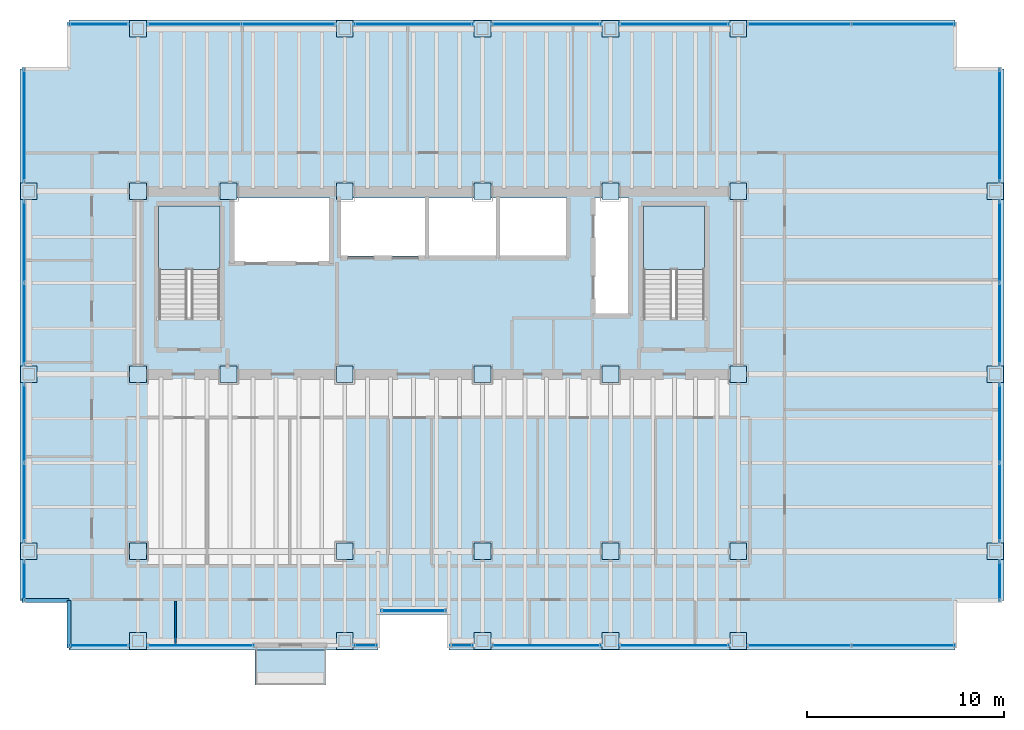
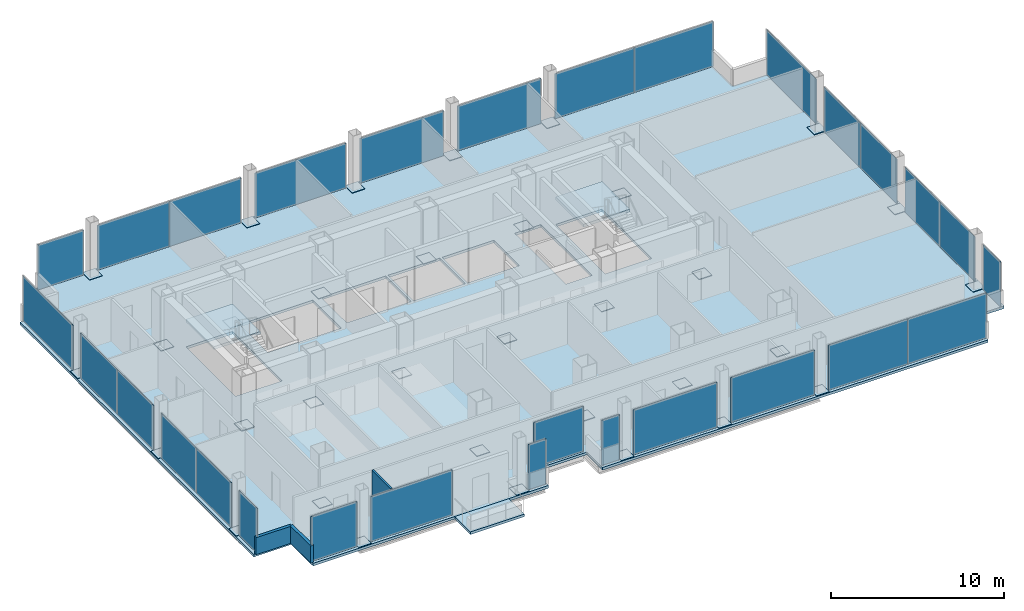
# One storey, part 16 of 20: 62 plates, 4 slabs, 3 walls, 7 openings, 24 elements without a shape of their own.
"""IFC4 building model written with IfcOpenShell, lengths in metres."""

from ifc_helpers import new_model, si_unit, direction, frame, frame_2d, origin, origin_2d, place, context, subcontext, project, spatial, polyline, rectangle, outline, extrude, material, layer, layer_set, type_object, element, aggregate, save


model = new_model("IFC4")

# Units and contexts
model_context = context("Model", 3, precision=1e-05, world=origin(), true_north=direction((0.0, 1.0)))
body_context = subcontext(model_context, "Body", "Model", "MODEL_VIEW")
ifc_project = project(units=[si_unit("LENGTHUNIT", "METRE"), si_unit("AREAUNIT", "SQUARE_METRE"), si_unit("VOLUMEUNIT", "CUBIC_METRE"), si_unit("PLANEANGLEUNIT", "RADIAN"), si_unit("MASSUNIT", "GRAM", prefix="KILO")], contexts=[model_context])

# Site, building, storey
site_placement = place(None, origin())
site = spatial("IfcSite", under=ifc_project, at=site_placement, CompositionType="ELEMENT")
building_placement = place(site_placement, origin())
building = spatial("IfcBuilding", under=site, at=building_placement, Name="Noeulbin Bourse Tower", CompositionType="ELEMENT")
storey_placement = place(building_placement, frame((0.0, 0.0, 61.60009765625)))
storey = spatial("IfcBuildingStorey", under=building, at=storey_placement, Name="L15", CompositionType="ELEMENT", Elevation=61.60009765625)

# Curtain wall, plate
ifc_material_1 = material(Name="Dark Solar-Control Double Glazing", Category="glass")
curtain_wall_type = type_object("IfcCurtainWallType", Name="CW-SYS-2", PredefinedType="NOTDEFINED", material=ifc_material_1)
curtain_wall_1_placement = place(storey_placement, origin())
curtain_wall_1 = element("IfcCurtainWall", 1, at=curtain_wall_1_placement, inside=storey, type_object=curtain_wall_type, Name="Unitised Curtain Wall CW-L15-SREC", PredefinedType="NOTDEFINED")
ifc_layer_1 = layer(ifc_material_1, 0.035888671875)
ifc_layer_set_1 = layer_set([ifc_layer_1], Name="Dark Solar-Control Double Glazing")
plate_type_1 = type_object("IfcPlateType", Name="CW-SYS-2-PNL", PredefinedType="CURTAIN_PANEL", material=ifc_layer_set_1)
plate_1_placement = place(storey_placement, frame((27.5, 16.97998046875, 0.0), z_axis=(0.0, 0.0, 1.0), x_axis=(1.0, 0.0, 0.0)))
plate_1 = element("IfcPlate", 2, at=plate_1_placement, type_object=plate_type_1, Name="Glazed Curtain Panel CW-L15-SREC-P00", PredefinedType="CURTAIN_PANEL", context=body_context, shape_type="SweptSolid", body=[
    extrude(rectangle(XDim=3.300048828125, YDim=0.035888671875, at=origin_2d()), origin(), (0.0, 0.0, 1.0), 3.179931640625),
])
aggregate(curtain_wall_1, [plate_1])

curtain_wall_2_placement = place(storey_placement, origin())
curtain_wall_2 = element("IfcCurtainWall", 3, at=curtain_wall_2_placement, inside=storey, type_object=curtain_wall_type, Name="Unitised Curtain Wall CW-L15-S1-S1", PredefinedType="NOTDEFINED")
plate_2_placement = place(storey_placement, frame((11.510009765625, 15.219970703125, 0.0), z_axis=(0.0, 0.0, 1.0), x_axis=(1.0, 0.0, 0.0)))
plate_2 = element("IfcPlate", 4, at=plate_2_placement, type_object=plate_type_1, Name="Glazed Curtain Panel CW-L15-S1-S1-P00", PredefinedType="CURTAIN_PANEL", context=body_context, shape_type="SweptSolid", body=[
    extrude(rectangle(XDim=3.06005859375, YDim=0.035888671875, at=origin_2d()), origin(), (0.0, 0.0, 1.0), 3.179931640625),
])
aggregate(curtain_wall_2, [plate_2])

curtain_wall_3_placement = place(storey_placement, origin())
curtain_wall_3 = element("IfcCurtainWall", 5, at=curtain_wall_3_placement, inside=storey, type_object=curtain_wall_type, Name="Unitised Curtain Wall CW-L15-S1-S2", PredefinedType="NOTDEFINED")
plate_3_placement = place(storey_placement, frame((16.679931640625, 15.219970703125, 0.0), z_axis=(0.0, 0.0, 1.0), x_axis=(1.0, 0.0, 0.0)))
plate_3 = element("IfcPlate", 6, at=plate_3_placement, type_object=plate_type_1, Name="Glazed Curtain Panel CW-L15-S1-S2-P00", PredefinedType="CURTAIN_PANEL", context=body_context, shape_type="SweptSolid", body=[
    extrude(rectangle(XDim=5.43994140625, YDim=0.035888671875, at=origin_2d()), origin(), (0.0, 0.0, 1.0), 3.179931640625),
])
aggregate(curtain_wall_3, [plate_3])

curtain_wall_4_placement = place(storey_placement, origin())
curtain_wall_4 = element("IfcCurtainWall", 7, at=curtain_wall_4_placement, inside=storey, type_object=curtain_wall_type, Name="Unitised Curtain Wall CW-L15-S2", PredefinedType="NOTDEFINED")
plate_4_placement = place(storey_placement, frame((25.054931640625, 15.219970703125, 0.0), z_axis=(0.0, 0.0, 1.0), x_axis=(1.0, 0.0, 0.0)))
plate_4 = element("IfcPlate", 8, at=plate_4_placement, type_object=plate_type_1, Name="Glazed Curtain Panel CW-L15-S2-P00", PredefinedType="CURTAIN_PANEL", context=body_context, shape_type="SweptSolid", body=[
    extrude(rectangle(XDim=1.18994140625, YDim=0.035888671875, at=origin_2d()), origin(), (0.0, 0.0, 1.0), 3.179931640625),
])
aggregate(curtain_wall_4, [plate_4])

curtain_wall_5_placement = place(storey_placement, origin())
curtain_wall_5 = element("IfcCurtainWall", 9, at=curtain_wall_5_placement, inside=storey, type_object=curtain_wall_type, Name="Unitised Curtain Wall CW-L15-S3-S1", PredefinedType="NOTDEFINED")
plate_5_placement = place(storey_placement, frame((29.945068359375, 15.219970703125, 0.0), z_axis=(0.0, 0.0, 1.0), x_axis=(1.0, 0.0, 0.0)))
plate_5 = element("IfcPlate", 10, at=plate_5_placement, type_object=plate_type_1, Name="Glazed Curtain Panel CW-L15-S3-S1-P00", PredefinedType="CURTAIN_PANEL", context=body_context, shape_type="SweptSolid", body=[
    extrude(rectangle(XDim=1.18994140625, YDim=0.035888671875, at=origin_2d()), origin(), (0.0, 0.0, 1.0), 3.179931640625),
])
aggregate(curtain_wall_5, [plate_5])

curtain_wall_6_placement = place(storey_placement, origin())
curtain_wall_6 = element("IfcCurtainWall", 11, at=curtain_wall_6_placement, inside=storey, type_object=curtain_wall_type, Name="Unitised Curtain Wall CW-L15-S3-S2", PredefinedType="NOTDEFINED")
plate_6_placement = place(storey_placement, frame((34.25, 15.219970703125, 0.0), z_axis=(0.0, 0.0, 1.0), x_axis=(1.0, 0.0, 0.0)))
plate_6 = element("IfcPlate", 12, at=plate_6_placement, type_object=plate_type_1, Name="Glazed Curtain Panel CW-L15-S3-S2-P00", PredefinedType="CURTAIN_PANEL", context=body_context, shape_type="SweptSolid", body=[
    extrude(rectangle(XDim=5.580078125, YDim=0.035888671875, at=origin_2d()), origin(), (0.0, 0.0, 1.0), 3.179931640625),
])
aggregate(curtain_wall_6, [plate_6])

curtain_wall_7_placement = place(storey_placement, origin())
curtain_wall_7 = element("IfcCurtainWall", 13, at=curtain_wall_7_placement, inside=storey, type_object=curtain_wall_type, Name="Unitised Curtain Wall CW-L15-S3-S3", PredefinedType="NOTDEFINED")
plate_7_placement = place(storey_placement, frame((40.75, 15.219970703125, 0.0), z_axis=(0.0, 0.0, 1.0), x_axis=(1.0, 0.0, 0.0)))
plate_7 = element("IfcPlate", 14, at=plate_7_placement, type_object=plate_type_1, Name="Glazed Curtain Panel CW-L15-S3-S3-P00", PredefinedType="CURTAIN_PANEL", context=body_context, shape_type="SweptSolid", body=[
    extrude(rectangle(XDim=5.580078125, YDim=0.035888671875, at=origin_2d()), origin(), (0.0, 0.0, 1.0), 3.179931640625),
])
aggregate(curtain_wall_7, [plate_7])

# Curtain wall, plates
curtain_wall_8_placement = place(storey_placement, origin())
curtain_wall_8 = element("IfcCurtainWall", 15, at=curtain_wall_8_placement, inside=storey, type_object=curtain_wall_type, Name="Unitised Curtain Wall CW-L15-S3-S4", PredefinedType="NOTDEFINED")
plate_8_placement = place(storey_placement, frame((47.10009765625, 15.219970703125, 0.0), z_axis=(0.0, 0.0, 1.0), x_axis=(1.0, 0.0, 0.0)))
plate_8 = element("IfcPlate", 16, at=plate_8_placement, type_object=plate_type_1, Name="Glazed Curtain Panel CW-L15-S3-S4-P00", PredefinedType="CURTAIN_PANEL", context=body_context, shape_type="SweptSolid", body=[
    extrude(rectangle(XDim=5.280029296875, YDim=0.035888671875, at=origin_2d()), origin(), (0.0, 0.0, 1.0), 3.179931640625),
])
plate_9_placement = place(storey_placement, frame((52.3798828125, 15.219970703125, 0.0), z_axis=(0.0, 0.0, 1.0), x_axis=(1.0, 0.0, 0.0)))
plate_9 = element("IfcPlate", 17, at=plate_9_placement, type_object=plate_type_1, Name="Glazed Curtain Panel CW-L15-S3-S4-P01", PredefinedType="CURTAIN_PANEL", context=body_context, shape_type="SweptSolid", body=[
    extrude(rectangle(XDim=5.280029296875, YDim=0.035888671875, at=origin_2d()), origin(), (0.0, 0.0, 1.0), 3.179931640625),
])
aggregate(curtain_wall_8, [plate_8, plate_9])

# Curtain wall, plate
curtain_wall_9_placement = place(storey_placement, origin())
curtain_wall_9 = element("IfcCurtainWall", 18, at=curtain_wall_9_placement, inside=storey, type_object=curtain_wall_type, Name="Unitised Curtain Wall CW-L15-N-S1", PredefinedType="NOTDEFINED")
plate_10_placement = place(storey_placement, frame((11.510009765625, 46.780029296875, 0.0), z_axis=(0.0, 0.0, 1.0), x_axis=(1.0, 0.0, 0.0)))
plate_10 = element("IfcPlate", 19, at=plate_10_placement, type_object=plate_type_1, Name="Glazed Curtain Panel CW-L15-N-S1-P00", PredefinedType="CURTAIN_PANEL", context=body_context, shape_type="SweptSolid", body=[
    extrude(rectangle(XDim=3.06005859375, YDim=0.035888671875, at=origin_2d()), origin(), (0.0, 0.0, 1.0), 3.179931640625),
])
aggregate(curtain_wall_9, [plate_10])

# Curtain wall, plates
curtain_wall_10_placement = place(storey_placement, origin())
curtain_wall_10 = element("IfcCurtainWall", 20, at=curtain_wall_10_placement, inside=storey, type_object=curtain_wall_type, Name="Unitised Curtain Wall CW-L15-N-S2", PredefinedType="NOTDEFINED")
plate_11_placement = place(storey_placement, frame((16.35498046875, 46.780029296875, 0.0), z_axis=(0.0, 0.0, 1.0), x_axis=(1.0, 0.0, 0.0)))
plate_11 = element("IfcPlate", 21, at=plate_11_placement, type_object=plate_type_1, Name="Glazed Curtain Panel CW-L15-N-S2-P00", PredefinedType="CURTAIN_PANEL", context=body_context, shape_type="SweptSolid", body=[
    extrude(rectangle(XDim=4.7900390625, YDim=0.035888671875, at=origin_2d()), origin(), (0.0, 0.0, 1.0), 3.179931640625),
])
plate_12_placement = place(storey_placement, frame((21.14501953125, 46.780029296875, 0.0), z_axis=(0.0, 0.0, 1.0), x_axis=(1.0, 0.0, 0.0)))
plate_12 = element("IfcPlate", 22, at=plate_12_placement, type_object=plate_type_1, Name="Glazed Curtain Panel CW-L15-N-S2-P01", PredefinedType="CURTAIN_PANEL", context=body_context, shape_type="SweptSolid", body=[
    extrude(rectangle(XDim=4.7900390625, YDim=0.035888671875, at=origin_2d()), origin(), (0.0, 0.0, 1.0), 3.179931640625),
])
aggregate(curtain_wall_10, [plate_11, plate_12])

# Curtain wall, plate
curtain_wall_11_placement = place(storey_placement, origin())
curtain_wall_11 = element("IfcCurtainWall", 23, at=curtain_wall_11_placement, inside=storey, type_object=curtain_wall_type, Name="Unitised Curtain Wall CW-L15-N-S3", PredefinedType="NOTDEFINED")
plate_13_placement = place(storey_placement, frame((27.5, 46.780029296875, 0.0), z_axis=(0.0, 0.0, 1.0), x_axis=(1.0, 0.0, 0.0)))
plate_13 = element("IfcPlate", 24, at=plate_13_placement, type_object=plate_type_1, Name="Glazed Curtain Panel CW-L15-N-S3-P00", PredefinedType="CURTAIN_PANEL", context=body_context, shape_type="SweptSolid", body=[
    extrude(rectangle(XDim=6.080078125, YDim=0.035888671875, at=origin_2d()), origin(), (0.0, 0.0, 1.0), 3.179931640625),
])
aggregate(curtain_wall_11, [plate_13])

curtain_wall_12_placement = place(storey_placement, origin())
curtain_wall_12 = element("IfcCurtainWall", 25, at=curtain_wall_12_placement, inside=storey, type_object=curtain_wall_type, Name="Unitised Curtain Wall CW-L15-N-S4", PredefinedType="NOTDEFINED")
plate_14_placement = place(storey_placement, frame((34.25, 46.780029296875, 0.0), z_axis=(0.0, 0.0, 1.0), x_axis=(1.0, 0.0, 0.0)))
plate_14 = element("IfcPlate", 26, at=plate_14_placement, type_object=plate_type_1, Name="Glazed Curtain Panel CW-L15-N-S4-P00", PredefinedType="CURTAIN_PANEL", context=body_context, shape_type="SweptSolid", body=[
    extrude(rectangle(XDim=5.580078125, YDim=0.035888671875, at=origin_2d()), origin(), (0.0, 0.0, 1.0), 3.179931640625),
])
aggregate(curtain_wall_12, [plate_14])

curtain_wall_13_placement = place(storey_placement, origin())
curtain_wall_13 = element("IfcCurtainWall", 27, at=curtain_wall_13_placement, inside=storey, type_object=curtain_wall_type, Name="Unitised Curtain Wall CW-L15-N-S5", PredefinedType="NOTDEFINED")
plate_15_placement = place(storey_placement, frame((40.75, 46.780029296875, 0.0), z_axis=(0.0, 0.0, 1.0), x_axis=(1.0, 0.0, 0.0)))
plate_15 = element("IfcPlate", 28, at=plate_15_placement, type_object=plate_type_1, Name="Glazed Curtain Panel CW-L15-N-S5-P00", PredefinedType="CURTAIN_PANEL", context=body_context, shape_type="SweptSolid", body=[
    extrude(rectangle(XDim=5.580078125, YDim=0.035888671875, at=origin_2d()), origin(), (0.0, 0.0, 1.0), 3.179931640625),
])
aggregate(curtain_wall_13, [plate_15])

# Curtain wall, plates
curtain_wall_14_placement = place(storey_placement, origin())
curtain_wall_14 = element("IfcCurtainWall", 29, at=curtain_wall_14_placement, inside=storey, type_object=curtain_wall_type, Name="Unitised Curtain Wall CW-L15-N-S6", PredefinedType="NOTDEFINED")
plate_16_placement = place(storey_placement, frame((47.10009765625, 46.780029296875, 0.0), z_axis=(0.0, 0.0, 1.0), x_axis=(1.0, 0.0, 0.0)))
plate_16 = element("IfcPlate", 30, at=plate_16_placement, type_object=plate_type_1, Name="Glazed Curtain Panel CW-L15-N-S6-P00", PredefinedType="CURTAIN_PANEL", context=body_context, shape_type="SweptSolid", body=[
    extrude(rectangle(XDim=5.280029296875, YDim=0.035888671875, at=origin_2d()), origin(), (0.0, 0.0, 1.0), 3.179931640625),
])
plate_17_placement = place(storey_placement, frame((52.3798828125, 46.780029296875, 0.0), z_axis=(0.0, 0.0, 1.0), x_axis=(1.0, 0.0, 0.0)))
plate_17 = element("IfcPlate", 31, at=plate_17_placement, type_object=plate_type_1, Name="Glazed Curtain Panel CW-L15-N-S6-P01", PredefinedType="CURTAIN_PANEL", context=body_context, shape_type="SweptSolid", body=[
    extrude(rectangle(XDim=5.280029296875, YDim=0.035888671875, at=origin_2d()), origin(), (0.0, 0.0, 1.0), 3.179931640625),
])
aggregate(curtain_wall_14, [plate_16, plate_17])

# Curtain wall, plate
curtain_wall_15_placement = place(storey_placement, origin())
curtain_wall_15 = element("IfcCurtainWall", 32, at=curtain_wall_15_placement, inside=storey, type_object=curtain_wall_type, Name="Unitised Curtain Wall CW-L15-W-S1", PredefinedType="NOTDEFINED")
plate_18_placement = place(storey_placement, frame((7.719970703125, 18.510009765625, 0.0), z_axis=(0.0, 0.0, 1.0), x_axis=(0.0, 1.0, 0.0)))
plate_18 = element("IfcPlate", 33, at=plate_18_placement, type_object=plate_type_1, Name="Glazed Curtain Panel CW-L15-W-S1-P00", PredefinedType="CURTAIN_PANEL", context=body_context, shape_type="SweptSolid", body=[
    extrude(rectangle(XDim=2.06005859375, YDim=0.035888671875, at=origin_2d()), origin(), (0.0, 0.0, 1.0), 3.179931640625),
])
aggregate(curtain_wall_15, [plate_18])

# Curtain wall, plates
curtain_wall_16_placement = place(storey_placement, origin())
curtain_wall_16 = element("IfcCurtainWall", 34, at=curtain_wall_16_placement, inside=storey, type_object=curtain_wall_type, Name="Unitised Curtain Wall CW-L15-W-S2", PredefinedType="NOTDEFINED")
plate_19_placement = place(storey_placement, frame((7.719970703125, 22.47998046875, 0.0), z_axis=(0.0, 0.0, 1.0), x_axis=(0.0, 1.0, 0.0)))
plate_19 = element("IfcPlate", 35, at=plate_19_placement, type_object=plate_type_1, Name="Glazed Curtain Panel CW-L15-W-S2-P00", PredefinedType="CURTAIN_PANEL", context=body_context, shape_type="SweptSolid", body=[
    extrude(rectangle(XDim=4.0400390625, YDim=0.035888671875, at=origin_2d()), origin(), (0.0, 0.0, 1.0), 3.179931640625),
])
plate_20_placement = place(storey_placement, frame((7.719970703125, 26.52001953125, 0.0), z_axis=(0.0, 0.0, 1.0), x_axis=(0.0, 1.0, 0.0)))
plate_20 = element("IfcPlate", 36, at=plate_20_placement, type_object=plate_type_1, Name="Glazed Curtain Panel CW-L15-W-S2-P01", PredefinedType="CURTAIN_PANEL", context=body_context, shape_type="SweptSolid", body=[
    extrude(rectangle(XDim=4.0400390625, YDim=0.035888671875, at=origin_2d()), origin(), (0.0, 0.0, 1.0), 3.179931640625),
])
aggregate(curtain_wall_16, [plate_19, plate_20])

curtain_wall_17_placement = place(storey_placement, origin())
curtain_wall_17 = element("IfcCurtainWall", 37, at=curtain_wall_17_placement, inside=storey, type_object=curtain_wall_type, Name="Unitised Curtain Wall CW-L15-W-S3", PredefinedType="NOTDEFINED")
plate_21_placement = place(storey_placement, frame((7.719970703125, 31.554931640625, 0.0), z_axis=(0.0, 0.0, 1.0), x_axis=(0.0, 1.0, 0.0)))
plate_21 = element("IfcPlate", 38, at=plate_21_placement, type_object=plate_type_1, Name="Glazed Curtain Panel CW-L15-W-S3-P00", PredefinedType="CURTAIN_PANEL", context=body_context, shape_type="SweptSolid", body=[
    extrude(rectangle(XDim=4.18994140625, YDim=0.035888671875, at=origin_2d()), origin(), (0.0, 0.0, 1.0), 3.179931640625),
])
plate_22_placement = place(storey_placement, frame((7.719970703125, 35.7451171875, 0.0), z_axis=(0.0, 0.0, 1.0), x_axis=(0.0, 1.0, 0.0)))
plate_22 = element("IfcPlate", 39, at=plate_22_placement, type_object=plate_type_1, Name="Glazed Curtain Panel CW-L15-W-S3-P01", PredefinedType="CURTAIN_PANEL", context=body_context, shape_type="SweptSolid", body=[
    extrude(rectangle(XDim=4.18994140625, YDim=0.035888671875, at=origin_2d()), origin(), (0.0, 0.0, 1.0), 3.179931640625),
])
aggregate(curtain_wall_17, [plate_21, plate_22])

# Curtain wall, plate
curtain_wall_18_placement = place(storey_placement, origin())
curtain_wall_18 = element("IfcCurtainWall", 40, at=curtain_wall_18_placement, inside=storey, type_object=curtain_wall_type, Name="Unitised Curtain Wall CW-L15-W-S4", PredefinedType="NOTDEFINED")
plate_23_placement = place(storey_placement, frame((7.719970703125, 41.639892578125, 0.0), z_axis=(0.0, 0.0, 1.0), x_axis=(0.0, 1.0, 0.0)))
plate_23 = element("IfcPlate", 41, at=plate_23_placement, type_object=plate_type_1, Name="Glazed Curtain Panel CW-L15-W-S4-P00", PredefinedType="CURTAIN_PANEL", context=body_context, shape_type="SweptSolid", body=[
    extrude(rectangle(XDim=5.760009765625, YDim=0.035888671875, at=origin_2d()), origin(), (0.0, 0.0, 1.0), 3.179931640625),
])
aggregate(curtain_wall_18, [plate_23])

curtain_wall_19_placement = place(storey_placement, origin())
curtain_wall_19 = element("IfcCurtainWall", 42, at=curtain_wall_19_placement, inside=storey, type_object=curtain_wall_type, Name="Unitised Curtain Wall CW-L15-E-S1", PredefinedType="NOTDEFINED")
plate_24_placement = place(storey_placement, frame((57.280029296875, 18.510009765625, 0.0), z_axis=(0.0, 0.0, 1.0), x_axis=(0.0, 1.0, 0.0)))
plate_24 = element("IfcPlate", 43, at=plate_24_placement, type_object=plate_type_1, Name="Glazed Curtain Panel CW-L15-E-S1-P00", PredefinedType="CURTAIN_PANEL", context=body_context, shape_type="SweptSolid", body=[
    extrude(rectangle(XDim=2.06005859375, YDim=0.035888671875, at=origin_2d()), origin(), (0.0, 0.0, 1.0), 3.179931640625),
])
aggregate(curtain_wall_19, [plate_24])

# Curtain wall, plates
curtain_wall_20_placement = place(storey_placement, origin())
curtain_wall_20 = element("IfcCurtainWall", 44, at=curtain_wall_20_placement, inside=storey, type_object=curtain_wall_type, Name="Unitised Curtain Wall CW-L15-E-S2", PredefinedType="NOTDEFINED")
plate_25_placement = place(storey_placement, frame((57.280029296875, 22.47998046875, 0.0), z_axis=(0.0, 0.0, 1.0), x_axis=(0.0, 1.0, 0.0)))
plate_25 = element("IfcPlate", 45, at=plate_25_placement, type_object=plate_type_1, Name="Glazed Curtain Panel CW-L15-E-S2-P00", PredefinedType="CURTAIN_PANEL", context=body_context, shape_type="SweptSolid", body=[
    extrude(rectangle(XDim=4.0400390625, YDim=0.035888671875, at=origin_2d()), origin(), (0.0, 0.0, 1.0), 3.179931640625),
])
plate_26_placement = place(storey_placement, frame((57.280029296875, 26.52001953125, 0.0), z_axis=(0.0, 0.0, 1.0), x_axis=(0.0, 1.0, 0.0)))
plate_26 = element("IfcPlate", 46, at=plate_26_placement, type_object=plate_type_1, Name="Glazed Curtain Panel CW-L15-E-S2-P01", PredefinedType="CURTAIN_PANEL", context=body_context, shape_type="SweptSolid", body=[
    extrude(rectangle(XDim=4.0400390625, YDim=0.035888671875, at=origin_2d()), origin(), (0.0, 0.0, 1.0), 3.179931640625),
])
aggregate(curtain_wall_20, [plate_25, plate_26])

curtain_wall_21_placement = place(storey_placement, origin())
curtain_wall_21 = element("IfcCurtainWall", 47, at=curtain_wall_21_placement, inside=storey, type_object=curtain_wall_type, Name="Unitised Curtain Wall CW-L15-E-S3", PredefinedType="NOTDEFINED")
plate_27_placement = place(storey_placement, frame((57.280029296875, 31.554931640625, 0.0), z_axis=(0.0, 0.0, 1.0), x_axis=(0.0, 1.0, 0.0)))
plate_27 = element("IfcPlate", 48, at=plate_27_placement, type_object=plate_type_1, Name="Glazed Curtain Panel CW-L15-E-S3-P00", PredefinedType="CURTAIN_PANEL", context=body_context, shape_type="SweptSolid", body=[
    extrude(rectangle(XDim=4.18994140625, YDim=0.035888671875, at=origin_2d()), origin(), (0.0, 0.0, 1.0), 3.179931640625),
])
plate_28_placement = place(storey_placement, frame((57.280029296875, 35.7451171875, 0.0), z_axis=(0.0, 0.0, 1.0), x_axis=(0.0, 1.0, 0.0)))
plate_28 = element("IfcPlate", 49, at=plate_28_placement, type_object=plate_type_1, Name="Glazed Curtain Panel CW-L15-E-S3-P01", PredefinedType="CURTAIN_PANEL", context=body_context, shape_type="SweptSolid", body=[
    extrude(rectangle(XDim=4.18994140625, YDim=0.035888671875, at=origin_2d()), origin(), (0.0, 0.0, 1.0), 3.179931640625),
])
aggregate(curtain_wall_21, [plate_27, plate_28])

# Curtain wall, plate
curtain_wall_22_placement = place(storey_placement, origin())
curtain_wall_22 = element("IfcCurtainWall", 50, at=curtain_wall_22_placement, inside=storey, type_object=curtain_wall_type, Name="Unitised Curtain Wall CW-L15-E-S4", PredefinedType="NOTDEFINED")
plate_29_placement = place(storey_placement, frame((57.280029296875, 41.639892578125, 0.0), z_axis=(0.0, 0.0, 1.0), x_axis=(0.0, 1.0, 0.0)))
plate_29 = element("IfcPlate", 51, at=plate_29_placement, type_object=plate_type_1, Name="Glazed Curtain Panel CW-L15-E-S4-P00", PredefinedType="CURTAIN_PANEL", context=body_context, shape_type="SweptSolid", body=[
    extrude(rectangle(XDim=5.760009765625, YDim=0.035888671875, at=origin_2d()), origin(), (0.0, 0.0, 1.0), 3.179931640625),
])
aggregate(curtain_wall_22, [plate_29])

# Plates
ifc_material_2 = material(Name="Steel S355", Category="steel")
ifc_layer_2 = layer(ifc_material_2, 0.030029296875)
ifc_layer_set_2 = layer_set([ifc_layer_2], Name="Steel S355")
plate_type_2 = type_object("IfcPlateType", Name="PLT-BN1", PredefinedType="USERDEFINED", material=ifc_layer_set_2)
for number, where, z_axis, x_axis, name in (
    (52, (13.5, 29.0, 0.0048828125), (0.0, 0.0, 1.0), (1.0, 0.0, 0.0), "Mega-Column Splice Plate BN1-L15-01"),
    (53, (13.5, 38.300048828125, 0.0048828125), (0.0, 0.0, 1.0), (1.0, 0.0, 0.0), "Mega-Column Splice Plate BN1-L15-02"),
    (54, (18.10009765625, 29.0, 0.0048828125), (0.0, 0.0, 1.0), (1.0, 0.0, 0.0), "Mega-Column Splice Plate BN1-L15-03"),
    (55, (18.10009765625, 38.300048828125, 0.0048828125), (0.0, 0.0, 1.0), (1.0, 0.0, 0.0), "Mega-Column Splice Plate BN1-L15-04"),
    (56, (24.0, 29.0, 0.0048828125), (0.0, 0.0, 1.0), (1.0, 0.0, 0.0), "Mega-Column Splice Plate BN1-L15-05"),
    (57, (24.0, 38.300048828125, 0.0048828125), (0.0, 0.0, 1.0), (1.0, 0.0, 0.0), "Mega-Column Splice Plate BN1-L15-06"),
    (58, (31.0, 29.0, 0.0048828125), (0.0, 0.0, 1.0), (1.0, 0.0, 0.0), "Mega-Column Splice Plate BN1-L15-07"),
    (59, (31.0, 38.300048828125, 0.0048828125), (0.0, 0.0, 1.0), (1.0, 0.0, 0.0), "Mega-Column Splice Plate BN1-L15-08"),
    (60, (37.5, 29.0, 0.0048828125), (0.0, 0.0, 1.0), (1.0, 0.0, 0.0), "Mega-Column Splice Plate BN1-L15-09"),
    (61, (37.5, 38.300048828125, 0.0048828125), (0.0, 0.0, 1.0), (1.0, 0.0, 0.0), "Mega-Column Splice Plate BN1-L15-10"),
    (62, (44.0, 29.0, 0.0048828125), (0.0, 0.0, 1.0), (1.0, 0.0, 0.0), "Mega-Column Splice Plate BN1-L15-11"),
    (63, (44.0, 38.300048828125, 0.0048828125), (0.0, 0.0, 1.0), (1.0, 0.0, 0.0), "Mega-Column Splice Plate BN1-L15-12"),
    (64, (13.5, 20.0, 0.0048828125), (0.0, 0.0, 1.0), (1.0, 0.0, 0.0), "Mega-Column Splice Plate BN1-L15-13"),
    (65, (24.0, 20.0, 0.0048828125), (0.0, 0.0, 1.0), (1.0, 0.0, 0.0), "Mega-Column Splice Plate BN1-L15-14"),
    (66, (31.0, 20.0, 0.0048828125), (0.0, 0.0, 1.0), (1.0, 0.0, 0.0), "Mega-Column Splice Plate BN1-L15-15"),
    (67, (37.5, 20.0, 0.0048828125), (0.0, 0.0, 1.0), (1.0, 0.0, 0.0), "Mega-Column Splice Plate BN1-L15-16"),
    (68, (44.0, 20.0, 0.0048828125), (0.0, 0.0, 1.0), (1.0, 0.0, 0.0), "Mega-Column Splice Plate BN1-L15-17"),
    (69, (7.949951171875, 20.0, 0.0048828125), (0.0, 0.0, 1.0), (1.0, 0.0, 0.0), "Perimeter Column Splice Plate BN1-L15-01"),
    (70, (7.949951171875, 29.0, 0.0048828125), (0.0, 0.0, 1.0), (1.0, 0.0, 0.0), "Perimeter Column Splice Plate BN1-L15-02"),
    (71, (7.949951171875, 38.300048828125, 0.0048828125), (0.0, 0.0, 1.0), (1.0, 0.0, 0.0), "Perimeter Column Splice Plate BN1-L15-03"),
    (72, (13.5, 15.449951171875, 0.0048828125), (0.0, 0.0, 1.0), (1.0, 0.0, 0.0), "Perimeter Column Splice Plate BN1-L15-04"),
    (73, (13.5, 46.550048828125, 0.0048828125), (0.0, 0.0, 1.0), (1.0, 0.0, 0.0), "Perimeter Column Splice Plate BN1-L15-05"),
    (74, (24.0, 15.449951171875, 0.0048828125), (0.0, 0.0, 1.0), (1.0, 0.0, 0.0), "Perimeter Column Splice Plate BN1-L15-06"),
    (75, (24.0, 46.550048828125, 0.0048828125), (0.0, 0.0, 1.0), (1.0, 0.0, 0.0), "Perimeter Column Splice Plate BN1-L15-07"),
    (76, (31.0, 15.449951171875, 0.0048828125), (0.0, 0.0, 1.0), (1.0, 0.0, 0.0), "Perimeter Column Splice Plate BN1-L15-08"),
    (77, (31.0, 46.550048828125, 0.0048828125), (0.0, 0.0, 1.0), (1.0, 0.0, 0.0), "Perimeter Column Splice Plate BN1-L15-09"),
    (78, (37.5, 15.449951171875, 0.0048828125), (0.0, 0.0, 1.0), (1.0, 0.0, 0.0), "Perimeter Column Splice Plate BN1-L15-10"),
    (79, (37.5, 46.550048828125, 0.0048828125), (0.0, 0.0, 1.0), (1.0, 0.0, 0.0), "Perimeter Column Splice Plate BN1-L15-11"),
    (80, (44.0, 15.449951171875, 0.0048828125), (0.0, 0.0, 1.0), (1.0, 0.0, 0.0), "Perimeter Column Splice Plate BN1-L15-12"),
    (81, (44.0, 46.550048828125, 0.0048828125), (0.0, 0.0, 1.0), (1.0, 0.0, 0.0), "Perimeter Column Splice Plate BN1-L15-13"),
    (82, (57.050048828125, 20.0, 0.0048828125), (0.0, 0.0, 1.0), (1.0, 0.0, 0.0), "Perimeter Column Splice Plate BN1-L15-14"),
    (83, (57.050048828125, 29.0, 0.0048828125), (0.0, 0.0, 1.0), (1.0, 0.0, 0.0), "Perimeter Column Splice Plate BN1-L15-15"),
    (84, (57.050048828125, 38.300048828125, 0.0048828125), (0.0, 0.0, 1.0), (1.0, 0.0, 0.0), "Perimeter Column Splice Plate BN1-L15-16"),
):
    element("IfcPlate", number, at=place(storey_placement, frame(where, z_axis=z_axis, x_axis=x_axis)), inside=storey, type_object=plate_type_2, Name=name, ObjectType="SPLICE PLATE", PredefinedType="USERDEFINED", context=body_context, shape_type="SweptSolid", body=[
        extrude(rectangle(XDim=0.85009765625, YDim=0.85009765625, at=origin_2d()), origin(), (0.0, 0.0, 1.0), 0.030029296875),
    ])

# Stair, slab
ifc_material_3 = material(Name="Concrete C40/50", Category="concrete")
stair_type = type_object("IfcStairType", Name="STR-CORE-1560", PredefinedType="HALF_TURN_STAIR", material=ifc_material_3)
stair_1_placement = place(storey_placement, origin())
stair_1 = element("IfcStair", 85, at=stair_1_placement, inside=storey, type_object=stair_type, Name="L15 ST-1", PredefinedType="HALF_TURN_STAIR")
ifc_layer_3 = layer(ifc_material_3, 0.199951171875)
ifc_layer_set_3 = layer_set([ifc_layer_3], Name="Concrete C40/50")
slab_type_1 = type_object("IfcSlabType", Name="SLB-LND-200", PredefinedType="LANDING", material=ifc_layer_set_3)
slab_1_placement = place(storey_placement, frame((0.0, 0.0, 1.75)))
slab_1 = element("IfcSlab", 86, at=slab_1_placement, type_object=slab_type_1, Name="ST-1 landing 1", PredefinedType="LANDING", context=body_context, shape_type="SweptSolid", body=[
    extrude(outline(polyline([(17.64990234375, 34.330078125), (17.64990234375, 37.5439453125), (14.550048828125, 37.5439453125), (14.550048828125, 34.330078125), (17.64990234375, 34.330078125)])), origin(), (0.0, 0.0, 1.0), 0.199951171875),
])
aggregate(stair_1, [slab_1])

stair_2_placement = place(storey_placement, origin())
stair_2 = element("IfcStair", 87, at=stair_2_placement, inside=storey, type_object=stair_type, Name="L15 ST-2", PredefinedType="HALF_TURN_STAIR")
slab_2_placement = place(storey_placement, frame((0.0, 0.0, 1.75)))
slab_2 = element("IfcSlab", 88, at=slab_2_placement, type_object=slab_type_1, Name="ST-2 landing 1", PredefinedType="LANDING", context=body_context, shape_type="SweptSolid", body=[
    extrude(outline(polyline([(42.280029296875, 34.330078125), (42.280029296875, 37.5439453125), (39.179931640625, 37.5439453125), (39.179931640625, 34.330078125), (42.280029296875, 34.330078125)])), origin(), (0.0, 0.0, 1.0), 0.199951171875),
])
aggregate(stair_2, [slab_2])

# Slab, openings
ifc_layer_4 = layer(ifc_material_3, 0.179931640625)
ifc_layer_set_4 = layer_set([ifc_layer_4], Name="Concrete C40/50")
slab_type_2 = type_object("IfcSlabType", Name="SLB-TYP-180", PredefinedType="FLOOR", material=ifc_layer_set_4)
slab_3_placement = place(storey_placement, frame((0.0, 0.0, -0.18017578125)))
slab_3 = element("IfcSlab", 89, at=slab_3_placement, inside=storey, type_object=slab_type_2, Name="Tower Structural Floor Slab L15", PredefinedType="FLOOR", context=body_context, shape_type="SweptSolid", body=[
    extrude(outline(polyline([(10.0, 15.0), (25.699951171875, 15.0), (25.699951171875, 16.800048828125), (29.300048828125, 16.800048828125), (29.300048828125, 15.0), (55.0, 15.0), (55.0, 17.5), (57.5, 17.5), (57.5, 44.5), (55.0, 44.5), (55.0, 47.0), (10.0, 47.0), (10.0, 44.5), (7.5, 44.5), (7.5, 17.5), (10.0, 17.5), (10.0, 15.0)]), holes=[polyline([(17.64990234375, 31.81005859375), (17.64990234375, 37.5439453125), (14.550048828125, 37.5439453125), (14.550048828125, 31.81005859375), (17.64990234375, 31.81005859375)]), polyline([(42.280029296875, 31.81005859375), (42.280029296875, 37.5439453125), (39.179931640625, 37.5439453125), (39.179931640625, 31.81005859375), (42.280029296875, 31.81005859375)]), polyline([(18.35009765625, 34.699951171875), (23.25, 34.699951171875), (23.25, 37.949951171875), (18.35009765625, 37.949951171875), (18.35009765625, 34.699951171875)]), polyline([(36.699951171875, 32.050048828125), (38.449951171875, 32.050048828125), (38.449951171875, 37.949951171875), (36.699951171875, 37.949951171875), (36.699951171875, 32.050048828125)]), polyline([(23.800048828125, 35.0), (28.10009765625, 35.0), (28.10009765625, 37.949951171875), (23.800048828125, 37.949951171875), (23.800048828125, 35.0)]), polyline([(28.25, 35.0), (31.699951171875, 35.0), (31.699951171875, 37.949951171875), (28.25, 37.949951171875), (28.25, 35.0)]), polyline([(31.85009765625, 35.0), (35.300048828125, 35.0), (35.300048828125, 37.949951171875), (31.85009765625, 37.949951171875), (31.85009765625, 35.0)])]), origin(), (0.0, 0.0, 1.0), 0.18017578125),
])
opening_1_placement = place(slab_3_placement, frame((0.0, 0.0, -0.010009765625)))
element("IfcOpeningElement", 90, at=opening_1_placement, cuts=slab_3, Name="Slab Shaft Opening SLB-L15-TWR-1", PredefinedType="OPENING", context=body_context, shape_type="SweptSolid", body=[
    extrude(outline(polyline([(17.64990234375, 31.81005859375), (17.64990234375, 37.5439453125), (14.550048828125, 37.5439453125), (14.550048828125, 31.81005859375), (17.64990234375, 31.81005859375)])), origin(), (0.0, 0.0, 1.0), 0.2001953125),
])
opening_2_placement = place(slab_3_placement, frame((0.0, 0.0, -0.010009765625)))
element("IfcOpeningElement", 91, at=opening_2_placement, cuts=slab_3, Name="Slab Shaft Opening SLB-L15-TWR-2", PredefinedType="OPENING", context=body_context, shape_type="SweptSolid", body=[
    extrude(outline(polyline([(42.280029296875, 31.81005859375), (42.280029296875, 37.5439453125), (39.179931640625, 37.5439453125), (39.179931640625, 31.81005859375), (42.280029296875, 31.81005859375)])), origin(), (0.0, 0.0, 1.0), 0.2001953125),
])
opening_3_placement = place(slab_3_placement, frame((0.0, 0.0, -0.010009765625)))
element("IfcOpeningElement", 92, at=opening_3_placement, cuts=slab_3, Name="Slab Shaft Opening SLB-L15-TWR-3", PredefinedType="OPENING", context=body_context, shape_type="SweptSolid", body=[
    extrude(outline(polyline([(18.35009765625, 34.699951171875), (23.25, 34.699951171875), (23.25, 37.949951171875), (18.35009765625, 37.949951171875), (18.35009765625, 34.699951171875)])), origin(), (0.0, 0.0, 1.0), 0.2001953125),
])
opening_4_placement = place(slab_3_placement, frame((0.0, 0.0, -0.010009765625)))
element("IfcOpeningElement", 93, at=opening_4_placement, cuts=slab_3, Name="Slab Shaft Opening SLB-L15-TWR-4", PredefinedType="OPENING", context=body_context, shape_type="SweptSolid", body=[
    extrude(outline(polyline([(36.699951171875, 32.050048828125), (38.449951171875, 32.050048828125), (38.449951171875, 37.949951171875), (36.699951171875, 37.949951171875), (36.699951171875, 32.050048828125)])), origin(), (0.0, 0.0, 1.0), 0.2001953125),
])
opening_5_placement = place(slab_3_placement, frame((0.0, 0.0, -0.010009765625)))
element("IfcOpeningElement", 94, at=opening_5_placement, cuts=slab_3, Name="Slab Shaft Opening SLB-L15-TWR-5", PredefinedType="OPENING", context=body_context, shape_type="SweptSolid", body=[
    extrude(outline(polyline([(23.800048828125, 35.0), (28.10009765625, 35.0), (28.10009765625, 37.949951171875), (23.800048828125, 37.949951171875), (23.800048828125, 35.0)])), origin(), (0.0, 0.0, 1.0), 0.2001953125),
])
opening_6_placement = place(slab_3_placement, frame((0.0, 0.0, -0.010009765625)))
element("IfcOpeningElement", 95, at=opening_6_placement, cuts=slab_3, Name="Slab Shaft Opening SLB-L15-TWR-6", PredefinedType="OPENING", context=body_context, shape_type="SweptSolid", body=[
    extrude(outline(polyline([(28.25, 35.0), (31.699951171875, 35.0), (31.699951171875, 37.949951171875), (28.25, 37.949951171875), (28.25, 35.0)])), origin(), (0.0, 0.0, 1.0), 0.2001953125),
])
opening_7_placement = place(slab_3_placement, frame((0.0, 0.0, -0.010009765625)))
element("IfcOpeningElement", 96, at=opening_7_placement, cuts=slab_3, Name="Slab Shaft Opening SLB-L15-TWR-7", PredefinedType="OPENING", context=body_context, shape_type="SweptSolid", body=[
    extrude(outline(polyline([(31.85009765625, 35.0), (35.300048828125, 35.0), (35.300048828125, 37.949951171875), (31.85009765625, 37.949951171875), (31.85009765625, 35.0)])), origin(), (0.0, 0.0, 1.0), 0.2001953125),
])

# Slab
slab_4_placement = place(storey_placement, frame((0.0, 0.0, -0.18017578125)))
element("IfcSlab", 97, at=slab_4_placement, inside=storey, type_object=slab_type_2, Name="Cantilevered Tree-Balcony Slab L15", PredefinedType="FLOOR", context=body_context, shape_type="SweptSolid", body=[
    extrude(outline(polyline([(19.449951171875, 13.199951171875), (23.050048828125, 13.199951171875), (23.050048828125, 15.0), (19.449951171875, 15.0), (19.449951171875, 13.199951171875)])), origin(), (0.0, 0.0, 1.0), 0.18017578125),
])

# Walls
ifc_layer_5 = layer(ifc_material_3, 0.199951171875)
ifc_layer_set_5 = layer_set([ifc_layer_5], Name="Concrete C40/50")
wall_type_1 = type_object("IfcWallType", Name="WAL-PAR-200", PredefinedType="PARAPET", material=ifc_layer_set_5)
for number, where, z_axis, x_axis, name in (
    (98, (7.60009765625, 17.5, 0.0), (0.0, 0.0, 1.0), (1.0, 0.0, 0.0), "Corner Notch Parapet L15-SW1"),
    (99, (10.0, 17.5, 0.0), (0.0, 0.0, 1.0), (0.0, -1.0, 0.0), "Corner Notch Parapet L15-SW2"),
):
    element("IfcWall", number, at=place(storey_placement, frame(where, z_axis=z_axis, x_axis=x_axis)), inside=storey, type_object=wall_type_1, Name=name, PredefinedType="PARAPET", context=body_context, shape_type="SweptSolid", body=[
        extrude(rectangle(XDim=2.39990234375, YDim=0.199951171875, at=frame_2d((1.199951171875, 0.0))), origin(), (0.0, 0.0, 1.0), 1.199951171875),
    ])
ifc_material_4 = material(Name="Steel Stud Gypsum Partition", Category="steel")
ifc_layer_6 = layer(ifc_material_4, 0.1201171875)
ifc_layer_set_6 = layer_set([ifc_layer_6], Name="Steel Stud Gypsum Partition")
wall_type_2 = type_object("IfcWallType", Name="WAL-PRT-120", PredefinedType="PARTITIONING", material=ifc_layer_set_6)
wall_placement = place(storey_placement, frame((15.39990234375, 15.31005859375, 0.0), z_axis=(0.0, 0.0, 1.0), x_axis=(0.0, 1.0, 0.0)))
element("IfcWall", 100, at=wall_placement, inside=storey, type_object=wall_type_2, Name="Interior Partition Wall L15-25", PredefinedType="PARTITIONING", context=body_context, shape_type="SweptSolid", body=[
    extrude(rectangle(XDim=2.155029296875, YDim=0.1201171875, at=frame_2d((1.07763671875, 0.0))), origin(), (0.0, 0.0, 1.0), 3.2119140625),
])

save(model, "model.ifc")
